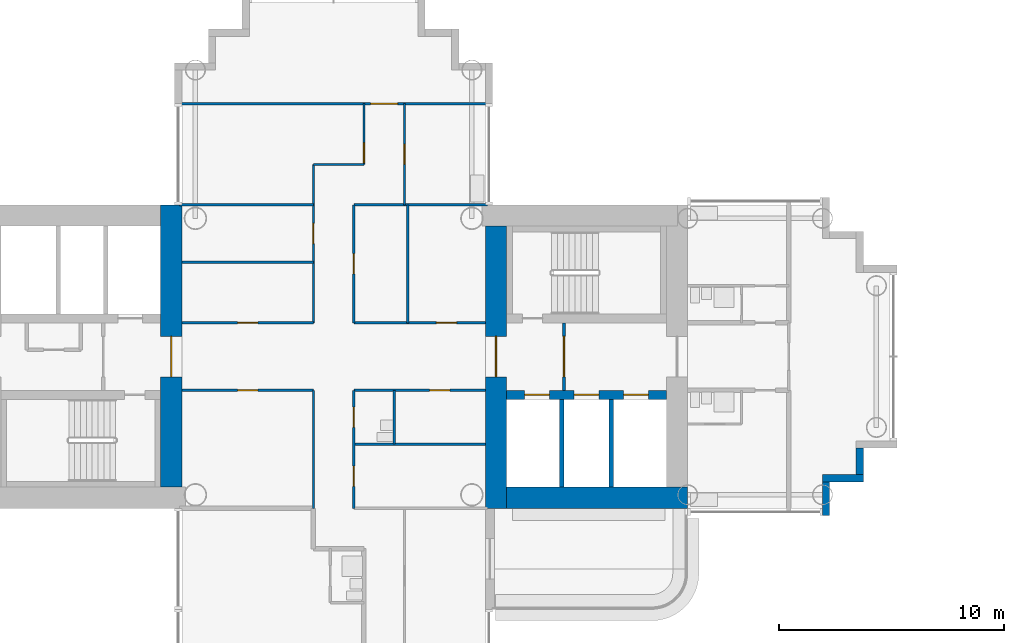
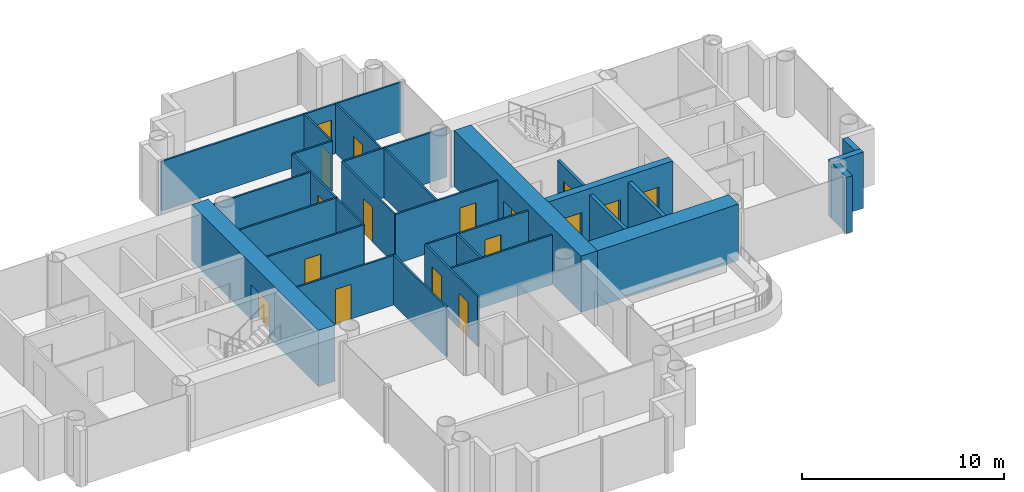
# One storey, part 10 of 21: 28 walls, 17 doors, 17 openings.
"""IFC4 building model written with IfcOpenShell, lengths in metres."""

import ifcopenshell
import ifcopenshell.guid

model = None  # the IFC model being written
_history = None  # IfcOwnerHistory: only IFC2X3 demands one
_inside = {}  # id of a spatial element -> (the spatial element, [elements in it])
_under = {}  # id of a project, library or spatial element -> (it, [spatial elements below it])
_declared = {}  # id of a project -> (the project, [libraries it declares])
_typed = {}  # id of a type object -> (the type object, [elements of that type])
_made_of = {}  # id of a material, layer set ... -> (it, [elements and type objects made of it])


def new_model(schema):
    """Start an empty IFC model of exactly this schema.

    Asked for "IFC4X3", IfcOpenShell would pick the latest addendum, in which some entities
    have other attributes; the version numbers below select the first issue.
    IFC2X3 requires an IfcOwnerHistory on every rooted entity: one is made here for all.
    """
    global model, _history
    if schema == "IFC4X3":
        model = ifcopenshell.file(schema_version=(4, 3, 0, 0))
    else:
        model = ifcopenshell.file(schema=schema)
    _inside.clear()
    _under.clear()
    _declared.clear()
    _typed.clear()
    _made_of.clear()
    _history = None
    if model.schema == "IFC2X3":
        org = make("IfcOrganization", Name="unknown")
        user = make(
            "IfcPersonAndOrganization",
            ThePerson=make("IfcPerson", FamilyName="unknown"),
            TheOrganization=org,
        )
        app = make(
            "IfcApplication",
            ApplicationDeveloper=org,
            Version="unknown",
            ApplicationFullName="unknown",
            ApplicationIdentifier="unknown",
        )
        _history = make(
            "IfcOwnerHistory",
            OwningUser=user,
            OwningApplication=app,
            ChangeAction="ADDED",
            CreationDate=0,
        )
    return model


def make(cls, **values):
    """One entity of the class cls with the attributes given. An attribute that is None is left unset."""
    return model.create_entity(
        cls, **{name: value for name, value in values.items() if value is not None}
    )


def rooted(cls, **values):
    """An entity with a GlobalId (a new one), such as an element, a storey or a relation."""
    return make(cls, GlobalId=ifcopenshell.guid.new(), OwnerHistory=_history, **values)


def si_unit(unit_type, name, prefix=None):
    """IfcSIUnit, for example si_unit("LENGTHUNIT", "METRE", prefix="MILLI")."""
    return make("IfcSIUnit", UnitType=unit_type, Prefix=prefix, Name=name)


def assignment(units):
    """IfcUnitAssignment: the units of a project."""
    return None if units is None else make("IfcUnitAssignment", Units=units)


def point(xyz):
    """IfcCartesianPoint."""
    return None if xyz is None else make("IfcCartesianPoint", Coordinates=xyz)


def direction(xyz):
    """IfcDirection."""
    return None if xyz is None else make("IfcDirection", DirectionRatios=xyz)


def frame(location, z_axis=None, x_axis=None):
    """IfcAxis2Placement3D, a coordinate frame: its origin and axes. An axis left out is left unset."""
    return make(
        "IfcAxis2Placement3D",
        Location=point(location),
        Axis=direction(z_axis),
        RefDirection=direction(x_axis),
    )


def frame_2d(location, x_axis=None):
    """IfcAxis2Placement2D, a coordinate frame in the plane: its origin and x axis."""
    return make(
        "IfcAxis2Placement2D", Location=point(location), RefDirection=direction(x_axis)
    )


def origin():
    """The frame at (0, 0, 0) with its axes left unset."""
    return frame((0.0, 0.0, 0.0))


def place(relative_to, where):
    """IfcLocalPlacement: puts the frame where relative to a parent placement (None: the world)."""
    return make(
        "IfcLocalPlacement", PlacementRelTo=relative_to, RelativePlacement=where
    )


def context(
    kind, dimensions, precision=None, world=None, true_north=None, identifier=None
):
    """IfcGeometricRepresentationContext, for example the 3D "Model" context."""
    return make(
        "IfcGeometricRepresentationContext",
        ContextIdentifier=identifier,
        ContextType=kind,
        CoordinateSpaceDimension=dimensions,
        Precision=precision,
        WorldCoordinateSystem=world,
        TrueNorth=true_north,
    )


def subcontext(parent, identifier, kind, view, scale=None):
    """IfcGeometricRepresentationSubContext, for example "Body" below "Model"."""
    return make(
        "IfcGeometricRepresentationSubContext",
        ContextIdentifier=identifier,
        ContextType=kind,
        ParentContext=parent,
        TargetScale=scale,
        TargetView=view,
    )


def project(units=None, contexts=None):
    """IfcProject with its units and contexts."""
    return rooted(
        "IfcProject",
        Name="project",
        RepresentationContexts=contexts,
        UnitsInContext=assignment(units),
    )


def spatial(cls, under=None, at=None, **own):
    """A site, building, storey or space (cls), placed at a placement, below another one or the project."""
    s = rooted(cls, ObjectPlacement=at, **own)
    if under is not None:
        _under.setdefault(under.id(), (under, []))[1].append(s)
    return s


def profile(cls, at=None, kind="AREA", **sizes):
    """A parametric profile (cls). Its sizes go by their IFC names, for example OverallWidth=200.0."""
    return make(cls, ProfileType=kind, Position=at, **sizes)


def rectangle(**sizes):
    """IfcRectangleProfileDef."""
    return profile("IfcRectangleProfileDef", **sizes)


def extrude(swept, where, along, depth):
    """IfcExtrudedAreaSolid: the profile swept, set in the frame where, extruded along a direction by depth."""
    return make(
        "IfcExtrudedAreaSolid",
        SweptArea=swept,
        Position=where,
        ExtrudedDirection=direction(along),
        Depth=depth,
    )


def shape(context_of_items, identifier, shape_type, items):
    """IfcShapeRepresentation: the items that make up one representation, for example the "Body"."""
    return make(
        "IfcShapeRepresentation",
        ContextOfItems=context_of_items,
        RepresentationIdentifier=identifier,
        RepresentationType=shape_type,
        Items=items,
    )


def material(Name=None, Category=None):
    """IfcMaterial."""
    return make("IfcMaterial", Name=Name, Category=Category)


def layer(
    of_material, thickness, ventilated=None, Name=None, Category=None, Priority=None
):
    """IfcMaterialLayer: one layer of a wall or slab, of a material (None: an air gap)."""
    return make(
        "IfcMaterialLayer",
        Material=of_material,
        LayerThickness=thickness,
        IsVentilated=ventilated,
        Name=Name,
        Category=Category,
        Priority=Priority,
    )


def layer_set(layers, Name=None):
    """IfcMaterialLayerSet."""
    return make("IfcMaterialLayerSet", MaterialLayers=layers, LayerSetName=Name)


def made_of(thing, what):
    """Note that an element or type object is made of a material, layer set ...; save() writes the relation."""
    if what is not None:
        _made_of.setdefault(what.id(), (what, []))[1].append(thing)
    return thing


def type_object(cls, material=None, **own):
    """A type object (cls), such as IfcWallType, which elements share."""
    return made_of(rooted(cls, **own), material)


def element(
    cls,
    number,
    at=None,
    inside=None,
    cuts=None,
    type_object=None,
    material=None,
    context=None,
    identifier="Body",
    shape_type=None,
    held_by="IfcProductDefinitionShape",
    body=None,
    shapes=None,
    **own,
):
    """One element of the class cls, such as IfcWall. Its Tag is "e" and its number.

    at: its placement. inside: the storey or other place that contains it. cuts: it is an
    opening in that element (IfcRelVoidsElement). A single representation is given by context,
    identifier, shape_type and body (its items); several are given by shapes. held_by: the class
    of the entity that holds the representations. save() writes the other relations.
    """
    e = rooted(cls, Tag="e%d" % number, ObjectPlacement=at, **own)
    if body is not None:
        shapes = [shape(context, identifier, shape_type, body)]
    if shapes is not None:
        e.Representation = make(held_by, Representations=shapes)
    if inside is not None:
        _inside.setdefault(inside.id(), (inside, []))[1].append(e)
    if cuts is not None:
        rooted(
            "IfcRelVoidsElement", RelatingBuildingElement=cuts, RelatedOpeningElement=e
        )
    if type_object is not None:
        _typed.setdefault(type_object.id(), (type_object, []))[1].append(e)
    return made_of(e, material)


def fill(opening, filler):
    """IfcRelFillsElement: the door or window that sits in an opening."""
    return rooted(
        "IfcRelFillsElement",
        RelatingOpeningElement=opening,
        RelatedBuildingElement=filler,
    )


def aggregate(whole, parts):
    """IfcRelAggregates: a whole, such as a stair, and the parts it consists of."""
    return rooted("IfcRelAggregates", RelatingObject=whole, RelatedObjects=parts)


def save(model, path):
    """Write the relations noted so far, then the file.

    IfcRelAggregates (storeys below a building ...), IfcRelContainedInSpatialStructure (elements
    in a storey), IfcRelDefinesByType, IfcRelAssociatesMaterial and IfcRelDeclares: one each for
    every whole, place, type object, material and project.
    """
    for whole, parts in _under.values():
        aggregate(whole, parts)
    for where, things in _inside.values():
        rooted(
            "IfcRelContainedInSpatialStructure",
            RelatedElements=things,
            RelatingStructure=where,
        )
    for kind, things in _typed.values():
        rooted("IfcRelDefinesByType", RelatedObjects=things, RelatingType=kind)
    for what, things in _made_of.values():
        rooted("IfcRelAssociatesMaterial", RelatedObjects=things, RelatingMaterial=what)
    for by, libraries in _declared.values():
        rooted("IfcRelDeclares", RelatingContext=by, RelatedDefinitions=libraries)
    model.write(path)


model = new_model("IFC4")

# Units and contexts
model_context = context("Model", 3, precision=1e-05, world=origin(), true_north=direction((0.0, 1.0)))
body_context = subcontext(model_context, "Body", "Model", "MODEL_VIEW")
ifc_project = project(units=[si_unit("LENGTHUNIT", "METRE"), si_unit("AREAUNIT", "SQUARE_METRE"), si_unit("VOLUMEUNIT", "CUBIC_METRE"), si_unit("PLANEANGLEUNIT", "RADIAN"), si_unit("MASSUNIT", "GRAM", prefix="KILO")], contexts=[model_context])

# Site, building, storey
site_placement = place(None, origin())
site = spatial("IfcSite", under=ifc_project, at=site_placement, CompositionType="ELEMENT")
building_placement = place(site_placement, origin())
building = spatial("IfcBuilding", under=site, at=building_placement, Name="Ipe Terrace Towers", CompositionType="ELEMENT")
storey_placement = place(building_placement, frame((0.0, 0.0, 103.800048828125)))
storey = spatial("IfcBuildingStorey", under=building, at=storey_placement, Name="L28", CompositionType="ELEMENT", Elevation=103.800048828125)

# Walls
ifc_material_1 = material(Name="Concrete C40/50 with buff precast cladding", Category="concrete")
ifc_layer_1 = layer(ifc_material_1, 0.320068359375)
ifc_layer_set_1 = layer_set([ifc_layer_1], Name="BUFF CLADDING WALL 320")
wall_type_1 = type_object("IfcWallType", Name="BUFF CLADDING WALL 320", PredefinedType="STANDARD", material=ifc_layer_set_1)
wall_1_placement = place(storey_placement, frame((-14.090087890625, -7.070068359375, -0.300048828125), z_axis=(0.0, 0.0, 1.0), x_axis=(0.0, 1.0, 0.0)))
element("IfcWall", 1, at=wall_1_placement, inside=storey, type_object=wall_type_1, Name="T1-W-L28-21a wall", PredefinedType="STANDARD", context=body_context, shape_type="SweptSolid", body=[
    extrude(rectangle(XDim=1.5, YDim=0.320068359375, at=frame_2d((0.75, 0.0))), origin(), (0.0, 0.0, 1.0), 3.39990234375),
])
wall_2_placement = place(storey_placement, frame((-14.25, -5.409912109375, -0.300048828125), z_axis=(0.0, 0.0, 1.0), x_axis=(1.0, 0.0, 0.0)))
element("IfcWall", 2, at=wall_2_placement, inside=storey, type_object=wall_type_1, Name="T1-W-L28-22a wall", PredefinedType="STANDARD", context=body_context, shape_type="SweptSolid", body=[
    extrude(rectangle(XDim=1.820068359375, YDim=0.320068359375, at=frame_2d((0.91015625, 0.0))), origin(), (0.0, 0.0, 1.0), 3.39990234375),
])
wall_3_placement = place(storey_placement, frame((-12.590087890625, -5.25, -0.300048828125), z_axis=(0.0, 0.0, 1.0), x_axis=(0.0, 1.0, 0.0)))
element("IfcWall", 3, at=wall_3_placement, inside=storey, type_object=wall_type_1, Name="T1-W-L28-23a wall", PredefinedType="STANDARD", context=body_context, shape_type="SweptSolid", body=[
    extrude(rectangle(XDim=1.179931640625, YDim=0.320068359375, at=frame_2d((0.58984375, 0.0))), origin(), (0.0, 0.0, 1.0), 3.39990234375),
])
ifc_material_2 = material(Name="Gypsum board partition", Category="plasterboard")
ifc_layer_2 = layer(ifc_material_2, 0.10009765625)
ifc_layer_set_2 = layer_set([ifc_layer_2], Name="Gypsum board partition 100 mm")
wall_type_2 = type_object("IfcWallType", Name="Gypsum board partition 100 mm", PredefinedType="PARTITIONING", material=ifc_layer_set_2)
wall_4_placement = place(storey_placement, frame((-36.89990234375, -6.75, 0.0), z_axis=(0.0, 0.0, 1.0), x_axis=(0.0, 1.0, 0.0)))
element("IfcWall", 4, at=wall_4_placement, inside=storey, type_object=wall_type_2, Name="Gypsum board partition T1 L28 W04", PredefinedType="PARTITIONING", context=body_context, shape_type="SweptSolid", body=[
    extrude(rectangle(XDim=5.25, YDim=0.10009765625, at=frame_2d((2.625, 0.0))), origin(), (0.0, 0.0, 1.0), 3.0),
])

# Wall, opening, door
wall_5_placement = place(storey_placement, frame((-36.89990234375, 1.5, 0.0), z_axis=(0.0, 0.0, 1.0), x_axis=(0.0, 1.0, 0.0)))
wall_5 = element("IfcWall", 5, at=wall_5_placement, inside=storey, type_object=wall_type_2, Name="Gypsum board partition T1 L28 W05", PredefinedType="PARTITIONING", context=body_context, shape_type="SweptSolid", body=[
    extrude(rectangle(XDim=7.050048828125, YDim=0.10009765625, at=frame_2d((3.52490234375, 0.0))), origin(), (0.0, 0.0, 1.0), 3.0),
])
opening_1_placement = place(wall_5_placement, frame((3.52490234375, 0.0, 0.0)))
opening_1 = element("IfcOpeningElement", 6, at=opening_1_placement, cuts=wall_5, Name="Opening T1-Z2E-05", PredefinedType="OPENING", context=body_context, shape_type="SweptSolid", body=[
    extrude(rectangle(XDim=0.89990234375, YDim=2.10009765625, at=frame_2d((0.449951171875, 1.050048828125))), frame((0.0, 0.06005859375, 0.0), z_axis=(0.0, -1.0, 0.0), x_axis=(1.0, 0.0, 0.0)), (0.0, 0.0, 1.0), 0.1201171875),
])
ifc_material_3 = material(Name="Timber door leaf", Category="wood")
door_type_1 = type_object("IfcDoorType", Name="Lounge door 900 x 2100", OperationType="NOTDEFINED", PredefinedType="DOOR", material=ifc_material_3)
door_1_placement = place(opening_1_placement, origin())
door_1 = element("IfcDoor", 7, at=door_1_placement, inside=storey, type_object=door_type_1, Name="Lounge door T1-Z2E-05", OperationType="SINGLE_SWING_LEFT", OverallHeight=2.10009765625, OverallWidth=0.89990234375, PredefinedType="DOOR", context=body_context, shape_type="SweptSolid", body=[
    extrude(rectangle(XDim=0.89990234375, YDim=2.10009765625, at=frame_2d((0.449951171875, 1.050048828125))), frame((0.0, 0.02490234375, 0.0), z_axis=(0.0, -1.0, 0.0), x_axis=(1.0, 0.0, 0.0)), (0.0, 0.0, 1.0), 0.050048828125),
])
fill(opening_1, door_1)

# Wall, openings, doors
wall_6_placement = place(storey_placement, frame((-35.10009765625, -6.75, 0.0), z_axis=(0.0, 0.0, 1.0), x_axis=(0.0, 1.0, 0.0)))
wall_6 = element("IfcWall", 8, at=wall_6_placement, inside=storey, type_object=wall_type_2, Name="Gypsum board partition T1 L28 W08", PredefinedType="PARTITIONING", context=body_context, shape_type="SweptSolid", body=[
    extrude(rectangle(XDim=5.25, YDim=0.10009765625, at=frame_2d((2.625, 0.0))), origin(), (0.0, 0.0, 1.0), 3.0),
])
opening_2_placement = place(wall_6_placement, frame((3.60009765625, 0.0, 0.0)))
opening_2 = element("IfcOpeningElement", 9, at=opening_2_placement, cuts=wall_6, Name="Opening T1-Z2E-01", PredefinedType="OPENING", context=body_context, shape_type="SweptSolid", body=[
    extrude(rectangle(XDim=0.89990234375, YDim=2.10009765625, at=frame_2d((0.449951171875, 1.050048828125))), frame((0.0, 0.06005859375, 0.0), z_axis=(0.0, -1.0, 0.0), x_axis=(1.0, 0.0, 0.0)), (0.0, 0.0, 1.0), 0.1201171875),
])
opening_3_placement = place(wall_6_placement, frame((0.97509765625, 0.0, 0.0)))
opening_3 = element("IfcOpeningElement", 10, at=opening_3_placement, cuts=wall_6, Name="Opening T1-Z2E-08", PredefinedType="OPENING", context=body_context, shape_type="SweptSolid", body=[
    extrude(rectangle(XDim=0.89990234375, YDim=2.10009765625, at=frame_2d((0.449951171875, 1.050048828125))), frame((0.0, 0.06005859375, 0.0), z_axis=(0.0, -1.0, 0.0), x_axis=(1.0, 0.0, 0.0)), (0.0, 0.0, 1.0), 0.1201171875),
])
ifc_material_4 = material(Name="Timber door leaf", Category="wood")
door_type_2 = type_object("IfcDoorType", Name="Bathroom door 900 x 2100", OperationType="NOTDEFINED", PredefinedType="DOOR", material=ifc_material_4)
door_2_placement = place(opening_2_placement, origin())
door_2 = element("IfcDoor", 11, at=door_2_placement, inside=storey, type_object=door_type_2, Name="Bathroom door T1-Z2E-01", OperationType="SINGLE_SWING_RIGHT", OverallHeight=2.10009765625, OverallWidth=0.89990234375, PredefinedType="DOOR", context=body_context, shape_type="SweptSolid", body=[
    extrude(rectangle(XDim=0.89990234375, YDim=2.10009765625, at=frame_2d((0.449951171875, 1.050048828125))), frame((0.0, 0.02490234375, 0.0), z_axis=(0.0, -1.0, 0.0), x_axis=(1.0, 0.0, 0.0)), (0.0, 0.0, 1.0), 0.050048828125),
])
fill(opening_2, door_2)
door_3_placement = place(opening_3_placement, origin())
door_3 = element("IfcDoor", 12, at=door_3_placement, inside=storey, type_object=door_type_1, Name="Lounge door T1-Z2E-08", OperationType="SINGLE_SWING_LEFT", OverallHeight=2.10009765625, OverallWidth=0.89990234375, PredefinedType="DOOR", context=body_context, shape_type="SweptSolid", body=[
    extrude(rectangle(XDim=0.89990234375, YDim=2.10009765625, at=frame_2d((0.449951171875, 1.050048828125))), frame((0.0, 0.02490234375, 0.0), z_axis=(0.0, -1.0, 0.0), x_axis=(1.0, 0.0, 0.0)), (0.0, 0.0, 1.0), 0.050048828125),
])
fill(opening_3, door_3)

# Wall, opening, door
wall_7_placement = place(storey_placement, frame((-35.10009765625, 1.5, 0.0), z_axis=(0.0, 0.0, 1.0), x_axis=(0.0, 1.0, 0.0)))
wall_7 = element("IfcWall", 13, at=wall_7_placement, inside=storey, type_object=wall_type_2, Name="Gypsum board partition T1 L28 W09", PredefinedType="PARTITIONING", context=body_context, shape_type="SweptSolid", body=[
    extrude(rectangle(XDim=5.25, YDim=0.10009765625, at=frame_2d((2.625, 0.0))), origin(), (0.0, 0.0, 1.0), 3.0),
])
opening_4_placement = place(wall_7_placement, frame((2.175048828125, 0.0, 0.0)))
opening_4 = element("IfcOpeningElement", 14, at=opening_4_placement, cuts=wall_7, Name="Opening T1-Z2E-02", PredefinedType="OPENING", context=body_context, shape_type="SweptSolid", body=[
    extrude(rectangle(XDim=0.89990234375, YDim=2.10009765625, at=frame_2d((0.449951171875, 1.050048828125))), frame((0.0, 0.06005859375, 0.0), z_axis=(0.0, -1.0, 0.0), x_axis=(1.0, 0.0, 0.0)), (0.0, 0.0, 1.0), 0.1201171875),
])
door_4_placement = place(opening_4_placement, origin())
door_4 = element("IfcDoor", 15, at=door_4_placement, inside=storey, type_object=door_type_1, Name="Lounge door T1-Z2E-02", OperationType="SINGLE_SWING_RIGHT", OverallHeight=2.10009765625, OverallWidth=0.89990234375, PredefinedType="DOOR", context=body_context, shape_type="SweptSolid", body=[
    extrude(rectangle(XDim=0.89990234375, YDim=2.10009765625, at=frame_2d((0.449951171875, 1.050048828125))), frame((0.0, 0.02490234375, 0.0), z_axis=(0.0, -1.0, 0.0), x_axis=(1.0, 0.0, 0.0)), (0.0, 0.0, 1.0), 0.050048828125),
])
fill(opening_4, door_4)

wall_8_placement = place(storey_placement, frame((-34.64990234375, 8.550048828125, 0.0), z_axis=(0.0, 0.0, 1.0), x_axis=(0.0, 1.0, 0.0)))
wall_8 = element("IfcWall", 16, at=wall_8_placement, inside=storey, type_object=wall_type_2, Name="Gypsum board partition T1 L28 W10", PredefinedType="PARTITIONING", context=body_context, shape_type="SweptSolid", body=[
    extrude(rectangle(XDim=2.699951171875, YDim=0.10009765625, at=frame_2d((1.35009765625, 0.0))), origin(), (0.0, 0.0, 1.0), 3.0),
])
opening_5_placement = place(wall_8_placement, frame((0.070068359375, 0.0, 0.0)))
opening_5 = element("IfcOpeningElement", 17, at=opening_5_placement, cuts=wall_8, Name="Opening T1-Z2E-09", PredefinedType="OPENING", context=body_context, shape_type="SweptSolid", body=[
    extrude(rectangle(XDim=0.89990234375, YDim=2.10009765625, at=frame_2d((0.449951171875, 1.050048828125))), frame((0.0, 0.06005859375, 0.0), z_axis=(0.0, -1.0, 0.0), x_axis=(1.0, 0.0, 0.0)), (0.0, 0.0, 1.0), 0.1201171875),
])
door_5_placement = place(opening_5_placement, origin())
door_5 = element("IfcDoor", 18, at=door_5_placement, inside=storey, type_object=door_type_1, Name="Lounge door T1-Z2E-09", OperationType="SINGLE_SWING_RIGHT", OverallHeight=2.10009765625, OverallWidth=0.89990234375, PredefinedType="DOOR", context=body_context, shape_type="SweptSolid", body=[
    extrude(rectangle(XDim=0.89990234375, YDim=2.10009765625, at=frame_2d((0.449951171875, 1.050048828125))), frame((0.0, 0.02490234375, 0.0), z_axis=(0.0, -1.0, 0.0), x_axis=(1.0, 0.0, 0.0)), (0.0, 0.0, 1.0), 0.050048828125),
])
fill(opening_5, door_5)

# Wall
wall_9_placement = place(storey_placement, frame((-33.300048828125, -3.89990234375, 0.0), z_axis=(0.0, 0.0, 1.0), x_axis=(0.0, 1.0, 0.0)))
element("IfcWall", 19, at=wall_9_placement, inside=storey, type_object=wall_type_2, Name="Gypsum board partition T1 L28 W12", PredefinedType="PARTITIONING", context=body_context, shape_type="SweptSolid", body=[
    extrude(rectangle(XDim=2.39990234375, YDim=0.10009765625, at=frame_2d((1.199951171875, 0.0))), origin(), (0.0, 0.0, 1.0), 3.0),
])

# Wall, opening, door
wall_10_placement = place(storey_placement, frame((-32.85009765625, 6.75, 0.0), z_axis=(0.0, 0.0, 1.0), x_axis=(0.0, 1.0, 0.0)))
wall_10 = element("IfcWall", 20, at=wall_10_placement, inside=storey, type_object=wall_type_2, Name="Gypsum board partition T1 L28 W14", PredefinedType="PARTITIONING", context=body_context, shape_type="SweptSolid", body=[
    extrude(rectangle(XDim=4.5, YDim=0.10009765625, at=frame_2d((2.25, 0.0))), origin(), (0.0, 0.0, 1.0), 3.0),
])
opening_6_placement = place(wall_10_placement, frame((1.800048828125, 0.0, 0.0)))
opening_6 = element("IfcOpeningElement", 21, at=opening_6_placement, cuts=wall_10, Name="Opening T1-Z2E-10", PredefinedType="OPENING", context=body_context, shape_type="SweptSolid", body=[
    extrude(rectangle(XDim=0.89990234375, YDim=2.10009765625, at=frame_2d((0.449951171875, 1.050048828125))), frame((0.0, 0.06005859375, 0.0), z_axis=(0.0, -1.0, 0.0), x_axis=(1.0, 0.0, 0.0)), (0.0, 0.0, 1.0), 0.1201171875),
])
door_6_placement = place(opening_6_placement, origin())
door_6 = element("IfcDoor", 22, at=door_6_placement, inside=storey, type_object=door_type_1, Name="Lounge door T1-Z2E-10", OperationType="SINGLE_SWING_RIGHT", OverallHeight=2.10009765625, OverallWidth=0.89990234375, PredefinedType="DOOR", context=body_context, shape_type="SweptSolid", body=[
    extrude(rectangle(XDim=0.89990234375, YDim=2.10009765625, at=frame_2d((0.449951171875, 1.050048828125))), frame((0.0, 0.02490234375, 0.0), z_axis=(0.0, -1.0, 0.0), x_axis=(1.0, 0.0, 0.0)), (0.0, 0.0, 1.0), 0.050048828125),
])
fill(opening_6, door_6)

# Walls
wall_11_placement = place(storey_placement, frame((-32.699951171875, 1.5, 0.0), z_axis=(0.0, 0.0, 1.0), x_axis=(0.0, 1.0, 0.0)))
element("IfcWall", 23, at=wall_11_placement, inside=storey, type_object=wall_type_2, Name="Gypsum board partition T1 L28 W15", PredefinedType="PARTITIONING", context=body_context, shape_type="SweptSolid", body=[
    extrude(rectangle(XDim=5.25, YDim=0.10009765625, at=frame_2d((2.625, 0.0))), origin(), (0.0, 0.0, 1.0), 3.0),
])
wall_12_placement = place(storey_placement, frame((-35.10009765625, -3.89990234375, 0.0), z_axis=(0.0, 0.0, 1.0), x_axis=(1.0, 0.0, 0.0)))
element("IfcWall", 24, at=wall_12_placement, inside=storey, type_object=wall_type_2, Name="Gypsum board partition T1 L28 W27", PredefinedType="PARTITIONING", context=body_context, shape_type="SweptSolid", body=[
    extrude(rectangle(XDim=5.85009765625, YDim=0.10009765625, at=frame_2d((2.925048828125, 0.0))), origin(), (0.0, 0.0, 1.0), 3.0),
])

# Wall, opening, door
wall_13_placement = place(storey_placement, frame((-42.75, -1.5, 0.0), z_axis=(0.0, 0.0, 1.0), x_axis=(1.0, 0.0, 0.0)))
wall_13 = element("IfcWall", 25, at=wall_13_placement, inside=storey, type_object=wall_type_2, Name="Gypsum board partition T1 L28 W30", PredefinedType="PARTITIONING", context=body_context, shape_type="SweptSolid", body=[
    extrude(rectangle(XDim=5.85009765625, YDim=0.10009765625, at=frame_2d((2.925048828125, 0.0))), origin(), (0.0, 0.0, 1.0), 3.0),
])
opening_7_placement = place(wall_13_placement, frame((2.47509765625, 0.0, 0.0)))
opening_7 = element("IfcOpeningElement", 26, at=opening_7_placement, cuts=wall_13, Name="Opening T1-Z2E-06", PredefinedType="OPENING", context=body_context, shape_type="SweptSolid", body=[
    extrude(rectangle(XDim=0.89990234375, YDim=2.10009765625, at=frame_2d((0.449951171875, 1.050048828125))), frame((0.0, 0.06005859375, 0.0), z_axis=(0.0, -1.0, 0.0), x_axis=(1.0, 0.0, 0.0)), (0.0, 0.0, 1.0), 0.1201171875),
])
door_7_placement = place(opening_7_placement, origin())
door_7 = element("IfcDoor", 27, at=door_7_placement, inside=storey, type_object=door_type_1, Name="Lounge door T1-Z2E-06", OperationType="SINGLE_SWING_LEFT", OverallHeight=2.10009765625, OverallWidth=0.89990234375, PredefinedType="DOOR", context=body_context, shape_type="SweptSolid", body=[
    extrude(rectangle(XDim=0.89990234375, YDim=2.10009765625, at=frame_2d((0.449951171875, 1.050048828125))), frame((0.0, 0.02490234375, 0.0), z_axis=(0.0, -1.0, 0.0), x_axis=(1.0, 0.0, 0.0)), (0.0, 0.0, 1.0), 0.050048828125),
])
fill(opening_7, door_7)

wall_14_placement = place(storey_placement, frame((-35.10009765625, -1.5, 0.0), z_axis=(0.0, 0.0, 1.0), x_axis=(1.0, 0.0, 0.0)))
wall_14 = element("IfcWall", 28, at=wall_14_placement, inside=storey, type_object=wall_type_2, Name="Gypsum board partition T1 L28 W31", PredefinedType="PARTITIONING", context=body_context, shape_type="SweptSolid", body=[
    extrude(rectangle(XDim=5.85009765625, YDim=0.10009765625, at=frame_2d((2.925048828125, 0.0))), origin(), (0.0, 0.0, 1.0), 3.0),
])
opening_8_placement = place(wall_14_placement, frame((3.375, 0.0, 0.0)))
opening_8 = element("IfcOpeningElement", 29, at=opening_8_placement, cuts=wall_14, Name="Opening T1-Z2E-07", PredefinedType="OPENING", context=body_context, shape_type="SweptSolid", body=[
    extrude(rectangle(XDim=0.89990234375, YDim=2.10009765625, at=frame_2d((0.449951171875, 1.050048828125))), frame((0.0, 0.06005859375, 0.0), z_axis=(0.0, -1.0, 0.0), x_axis=(1.0, 0.0, 0.0)), (0.0, 0.0, 1.0), 0.1201171875),
])
door_8_placement = place(opening_8_placement, origin())
door_8 = element("IfcDoor", 30, at=door_8_placement, inside=storey, type_object=door_type_1, Name="Lounge door T1-Z2E-07", OperationType="SINGLE_SWING_RIGHT", OverallHeight=2.10009765625, OverallWidth=0.89990234375, PredefinedType="DOOR", context=body_context, shape_type="SweptSolid", body=[
    extrude(rectangle(XDim=0.89990234375, YDim=2.10009765625, at=frame_2d((0.449951171875, 1.050048828125))), frame((0.0, 0.02490234375, 0.0), z_axis=(0.0, -1.0, 0.0), x_axis=(1.0, 0.0, 0.0)), (0.0, 0.0, 1.0), 0.050048828125),
])
fill(opening_8, door_8)

wall_15_placement = place(storey_placement, frame((-42.75, 1.5, 0.0), z_axis=(0.0, 0.0, 1.0), x_axis=(1.0, 0.0, 0.0)))
wall_15 = element("IfcWall", 31, at=wall_15_placement, inside=storey, type_object=wall_type_2, Name="Gypsum board partition T1 L28 W33", PredefinedType="PARTITIONING", context=body_context, shape_type="SweptSolid", body=[
    extrude(rectangle(XDim=5.85009765625, YDim=0.10009765625, at=frame_2d((2.925048828125, 0.0))), origin(), (0.0, 0.0, 1.0), 3.0),
])
opening_9_placement = place(wall_15_placement, frame((2.47509765625, 0.0, 0.0)))
opening_9 = element("IfcOpeningElement", 32, at=opening_9_placement, cuts=wall_15, Name="Opening T1-Z2E-04", PredefinedType="OPENING", context=body_context, shape_type="SweptSolid", body=[
    extrude(rectangle(XDim=0.89990234375, YDim=2.10009765625, at=frame_2d((0.449951171875, 1.050048828125))), frame((0.0, 0.06005859375, 0.0), z_axis=(0.0, -1.0, 0.0), x_axis=(1.0, 0.0, 0.0)), (0.0, 0.0, 1.0), 0.1201171875),
])
door_9_placement = place(opening_9_placement, origin())
door_9 = element("IfcDoor", 33, at=door_9_placement, inside=storey, type_object=door_type_1, Name="Lounge door T1-Z2E-04", OperationType="SINGLE_SWING_RIGHT", OverallHeight=2.10009765625, OverallWidth=0.89990234375, PredefinedType="DOOR", context=body_context, shape_type="SweptSolid", body=[
    extrude(rectangle(XDim=0.89990234375, YDim=2.10009765625, at=frame_2d((0.449951171875, 1.050048828125))), frame((0.0, 0.02490234375, 0.0), z_axis=(0.0, -1.0, 0.0), x_axis=(1.0, 0.0, 0.0)), (0.0, 0.0, 1.0), 0.050048828125),
])
fill(opening_9, door_9)

wall_16_placement = place(storey_placement, frame((-35.10009765625, 1.5, 0.0), z_axis=(0.0, 0.0, 1.0), x_axis=(1.0, 0.0, 0.0)))
wall_16 = element("IfcWall", 34, at=wall_16_placement, inside=storey, type_object=wall_type_2, Name="Gypsum board partition T1 L28 W34", PredefinedType="PARTITIONING", context=body_context, shape_type="SweptSolid", body=[
    extrude(rectangle(XDim=5.85009765625, YDim=0.10009765625, at=frame_2d((2.925048828125, 0.0))), origin(), (0.0, 0.0, 1.0), 3.0),
])
opening_10_placement = place(wall_16_placement, frame((3.675048828125, 0.0, 0.0)))
opening_10 = element("IfcOpeningElement", 35, at=opening_10_placement, cuts=wall_16, Name="Opening T1-Z2E-03", PredefinedType="OPENING", context=body_context, shape_type="SweptSolid", body=[
    extrude(rectangle(XDim=0.89990234375, YDim=2.10009765625, at=frame_2d((0.449951171875, 1.050048828125))), frame((0.0, 0.06005859375, 0.0), z_axis=(0.0, -1.0, 0.0), x_axis=(1.0, 0.0, 0.0)), (0.0, 0.0, 1.0), 0.1201171875),
])
door_10_placement = place(opening_10_placement, origin())
door_10 = element("IfcDoor", 36, at=door_10_placement, inside=storey, type_object=door_type_1, Name="Lounge door T1-Z2E-03", OperationType="SINGLE_SWING_LEFT", OverallHeight=2.10009765625, OverallWidth=0.89990234375, PredefinedType="DOOR", context=body_context, shape_type="SweptSolid", body=[
    extrude(rectangle(XDim=0.89990234375, YDim=2.10009765625, at=frame_2d((0.449951171875, 1.050048828125))), frame((0.0, 0.02490234375, 0.0), z_axis=(0.0, -1.0, 0.0), x_axis=(1.0, 0.0, 0.0)), (0.0, 0.0, 1.0), 0.050048828125),
])
fill(opening_10, door_10)

# Walls
wall_17_placement = place(storey_placement, frame((-42.75, 4.199951171875, 0.0), z_axis=(0.0, 0.0, 1.0), x_axis=(1.0, 0.0, 0.0)))
element("IfcWall", 37, at=wall_17_placement, inside=storey, type_object=wall_type_2, Name="Gypsum board partition T1 L28 W39", PredefinedType="PARTITIONING", context=body_context, shape_type="SweptSolid", body=[
    extrude(rectangle(XDim=5.85009765625, YDim=0.10009765625, at=frame_2d((2.925048828125, 0.0))), origin(), (0.0, 0.0, 1.0), 3.0),
])
for number, where, z_axis, x_axis, name in (
    (38, (-42.85009765625, 6.75, 0.0), (0.0, 0.0, 1.0), (1.0, 0.0, 0.0), "Gypsum board partition T1 L28 W40"),
    (39, (-35.10009765625, 6.75, 0.0), (0.0, 0.0, 1.0), (1.0, 0.0, 0.0), "Gypsum board partition T1 L28 W41"),
):
    element("IfcWall", number, at=place(storey_placement, frame(where, z_axis=z_axis, x_axis=x_axis)), inside=storey, type_object=wall_type_2, Name=name, PredefinedType="PARTITIONING", context=body_context, shape_type="SweptSolid", body=[
        extrude(rectangle(XDim=5.9501953125, YDim=0.10009765625, at=frame_2d((2.97509765625, 0.0))), origin(), (0.0, 0.0, 1.0), 3.0),
    ])
wall_18_placement = place(storey_placement, frame((-36.89990234375, 8.550048828125, 0.0), z_axis=(0.0, 0.0, 1.0), x_axis=(1.0, 0.0, 0.0)))
element("IfcWall", 40, at=wall_18_placement, inside=storey, type_object=wall_type_2, Name="Gypsum board partition T1 L28 W42", PredefinedType="PARTITIONING", context=body_context, shape_type="SweptSolid", body=[
    extrude(rectangle(XDim=2.25, YDim=0.10009765625, at=frame_2d((1.125, 0.0))), origin(), (0.0, 0.0, 1.0), 3.0),
])

# Wall, opening, door
wall_19_placement = place(storey_placement, frame((-42.85009765625, 11.25, 0.0), z_axis=(0.0, 0.0, 1.0), x_axis=(1.0, 0.0, 0.0)))
wall_19 = element("IfcWall", 41, at=wall_19_placement, inside=storey, type_object=wall_type_2, Name="Gypsum board partition T1 L28 W43", PredefinedType="PARTITIONING", context=body_context, shape_type="SweptSolid", body=[
    extrude(rectangle(XDim=13.7001953125, YDim=0.10009765625, at=frame_2d((6.85009765625, 0.0))), origin(), (0.0, 0.0, 1.0), 3.0),
])
opening_11_placement = place(wall_19_placement, frame((8.5, 0.0, 0.0)))
opening_11 = element("IfcOpeningElement", 42, at=opening_11_placement, cuts=wall_19, Name="Opening T1-Z2E-11", PredefinedType="OPENING", context=body_context, shape_type="SweptSolid", body=[
    extrude(rectangle(XDim=1.199951171875, YDim=2.10009765625, at=frame_2d((0.60009765625, 1.050048828125))), frame((0.0, 0.06005859375, 0.0), z_axis=(0.0, -1.0, 0.0), x_axis=(1.0, 0.0, 0.0)), (0.0, 0.0, 1.0), 0.1201171875),
])
ifc_material_5 = material(Name="Timber door leaf", Category="wood")
door_type_3 = type_object("IfcDoorType", Name="Lounge door 1200 x 2100", OperationType="NOTDEFINED", PredefinedType="DOOR", material=ifc_material_5)
door_11_placement = place(opening_11_placement, origin())
door_11 = element("IfcDoor", 43, at=door_11_placement, inside=storey, type_object=door_type_3, Name="Lounge door T1-Z2E-11", OperationType="SINGLE_SWING_LEFT", OverallHeight=2.10009765625, OverallWidth=1.199951171875, PredefinedType="DOOR", context=body_context, shape_type="SweptSolid", body=[
    extrude(rectangle(XDim=1.199951171875, YDim=2.10009765625, at=frame_2d((0.60009765625, 1.050048828125))), frame((0.0, 0.02490234375, 0.0), z_axis=(0.0, -1.0, 0.0), x_axis=(1.0, 0.0, 0.0)), (0.0, 0.0, 1.0), 0.050048828125),
])
fill(opening_11, door_11)

ifc_material_6 = material(Name="Gypsum board partition", Category="plasterboard")
ifc_layer_3 = layer(ifc_material_6, 0.14990234375)
ifc_layer_set_3 = layer_set([ifc_layer_3], Name="Gypsum board partition 150 mm")
wall_type_3 = type_object("IfcWallType", Name="Gypsum board partition 150 mm", PredefinedType="PARTITIONING", material=ifc_layer_set_3)
wall_20_placement = place(storey_placement, frame((-25.75, -1.5, 0.0), z_axis=(0.0, 0.0, 1.0), x_axis=(0.0, 1.0, 0.0)))
wall_20 = element("IfcWall", 44, at=wall_20_placement, inside=storey, type_object=wall_type_3, Name="Gypsum board partition T1 L28 t1c1-lobby-wall", PredefinedType="PARTITIONING", context=body_context, shape_type="SweptSolid", body=[
    extrude(rectangle(XDim=3.0, YDim=0.14990234375, at=frame_2d((1.5, 0.0))), origin(), (0.0, 0.0, 1.0), 3.0),
])
opening_12_placement = place(wall_20_placement, frame((0.60009765625, 0.0, 0.0)))
opening_12 = element("IfcOpeningElement", 45, at=opening_12_placement, cuts=wall_20, Name="Opening T1C1-VD", PredefinedType="OPENING", context=body_context, shape_type="SweptSolid", body=[
    extrude(rectangle(XDim=1.800048828125, YDim=2.10009765625, at=frame_2d((0.89990234375, 1.050048828125))), frame((0.0, 0.0849609375, 0.0), z_axis=(0.0, -1.0, 0.0), x_axis=(1.0, 0.0, 0.0)), (0.0, 0.0, 1.0), 0.169921875),
])
ifc_material_7 = material(Name="Fire-rated timber door leaf", Category="wood")
door_type_4 = type_object("IfcDoorType", Name="Lobby door 1800 x 2100 FD60", OperationType="NOTDEFINED", PredefinedType="DOOR", material=ifc_material_7)
door_12_placement = place(opening_12_placement, origin())
door_12 = element("IfcDoor", 46, at=door_12_placement, inside=storey, type_object=door_type_4, Name="Lobby door T1C1-VD", OperationType="SINGLE_SWING_LEFT", OverallHeight=2.10009765625, OverallWidth=1.800048828125, PredefinedType="DOOR", context=body_context, shape_type="SweptSolid", body=[
    extrude(rectangle(XDim=1.800048828125, YDim=2.10009765625, at=frame_2d((0.89990234375, 1.050048828125))), frame((0.0, 0.02490234375, 0.0), z_axis=(0.0, -1.0, 0.0), x_axis=(1.0, 0.0, 0.0)), (0.0, 0.0, 1.0), 0.050048828125),
])
fill(opening_12, door_12)

# Walls
ifc_material_8 = material(Name="Gypsum board party wall", Category="plasterboard")
ifc_layer_4 = layer(ifc_material_8, 0.199951171875)
ifc_layer_set_4 = layer_set([ifc_layer_4], Name="Gypsum board party wall 200 mm")
wall_type_4 = type_object("IfcWallType", Name="Gypsum board party wall 200 mm", PredefinedType="SOLIDWALL", material=ifc_layer_set_4)
for number, where, z_axis, x_axis, name in (
    (47, (-25.85009765625, -5.800048828125, 0.0), (0.0, 0.0, 1.0), (0.0, 1.0, 0.0), "Gypsum board party wall T1 L28 t1c1-shaft-div1"),
    (48, (-23.64990234375, -5.800048828125, 0.0), (0.0, 0.0, 1.0), (0.0, 1.0, 0.0), "Gypsum board party wall T1 L28 t1c1-shaft-div2"),
):
    element("IfcWall", number, at=place(storey_placement, frame(where, z_axis=z_axis, x_axis=x_axis)), inside=storey, type_object=wall_type_4, Name=name, PredefinedType="SOLIDWALL", context=body_context, shape_type="SweptSolid", body=[
        extrude(rectangle(XDim=3.900146484375, YDim=0.199951171875, at=frame_2d((1.9501953125, 0.0))), origin(), (0.0, 0.0, 1.0), 3.0),
    ])

# Wall, openings, doors
ifc_material_9 = material(Name="Concrete C50/60", Category="concrete")
ifc_layer_5 = layer(ifc_material_9, 0.39990234375)
ifc_layer_set_5 = layer_set([ifc_layer_5], Name="RW400 CORE SPINE WALL 400 C50-60")
wall_type_5 = type_object("IfcWallType", Name="RW400 CORE SPINE WALL 400 C50-60", PredefinedType="SHEAR", material=ifc_layer_set_5)
wall_21_placement = place(storey_placement, frame((-28.300048828125, -1.699951171875, 0.0), z_axis=(0.0, 0.0, 1.0), x_axis=(1.0, 0.0, 0.0)))
wall_21 = element("IfcWall", 49, at=wall_21_placement, inside=storey, type_object=wall_type_5, Name="Core spine wall T1-C1-Z2-SW1", PredefinedType="SHEAR", context=body_context, shape_type="SweptSolid", body=[
    extrude(rectangle(XDim=7.10009765625, YDim=0.39990234375, at=frame_2d((3.550048828125, 0.0))), origin(), (0.0, 0.0, 1.0), 3.39990234375),
])
opening_13_placement = place(wall_21_placement, frame((0.800048828125, 0.0, 0.0)))
opening_13 = element("IfcOpeningElement", 50, at=opening_13_placement, cuts=wall_21, Name="Opening T1C1-LD1", PredefinedType="OPENING", context=body_context, shape_type="SweptSolid", body=[
    extrude(rectangle(XDim=1.10009765625, YDim=2.10009765625, at=frame_2d((0.550048828125, 1.050048828125))), frame((0.0, 0.2099609375, 0.0), z_axis=(0.0, -1.0, 0.0), x_axis=(1.0, 0.0, 0.0)), (0.0, 0.0, 1.0), 0.419921875),
])
opening_14_placement = place(wall_21_placement, frame((3.0, 0.0, 0.0)))
opening_14 = element("IfcOpeningElement", 51, at=opening_14_placement, cuts=wall_21, Name="Opening T1C1-LD2", PredefinedType="OPENING", context=body_context, shape_type="SweptSolid", body=[
    extrude(rectangle(XDim=1.10009765625, YDim=2.10009765625, at=frame_2d((0.550048828125, 1.050048828125))), frame((0.0, 0.2099609375, 0.0), z_axis=(0.0, -1.0, 0.0), x_axis=(1.0, 0.0, 0.0)), (0.0, 0.0, 1.0), 0.419921875),
])
opening_15_placement = place(wall_21_placement, frame((5.199951171875, 0.0, 0.0)))
opening_15 = element("IfcOpeningElement", 52, at=opening_15_placement, cuts=wall_21, Name="Opening T1C1-LD3", PredefinedType="OPENING", context=body_context, shape_type="SweptSolid", body=[
    extrude(rectangle(XDim=1.10009765625, YDim=2.10009765625, at=frame_2d((0.550048828125, 1.050048828125))), frame((0.0, 0.2099609375, 0.0), z_axis=(0.0, -1.0, 0.0), x_axis=(1.0, 0.0, 0.0)), (0.0, 0.0, 1.0), 0.419921875),
])
ifc_material_10 = material(Name="Fire-rated timber door leaf", Category="wood")
door_type_5 = type_object("IfcDoorType", Name="Sliding door 1100 x 2100 FD60", OperationType="SLIDING_TO_LEFT", PredefinedType="DOOR", material=ifc_material_10)
door_13_placement = place(opening_13_placement, origin())
door_13 = element("IfcDoor", 53, at=door_13_placement, inside=storey, type_object=door_type_5, Name="Sliding door T1C1-LD1", OperationType="SLIDING_TO_LEFT", OverallHeight=2.10009765625, OverallWidth=1.10009765625, PredefinedType="DOOR", context=body_context, shape_type="SweptSolid", body=[
    extrude(rectangle(XDim=1.10009765625, YDim=2.10009765625, at=frame_2d((0.550048828125, 1.050048828125))), frame((0.0, 0.02490234375, 0.0), z_axis=(0.0, -1.0, 0.0), x_axis=(1.0, 0.0, 0.0)), (0.0, 0.0, 1.0), 0.050048828125),
])
fill(opening_13, door_13)
door_14_placement = place(opening_14_placement, origin())
door_14 = element("IfcDoor", 54, at=door_14_placement, inside=storey, type_object=door_type_5, Name="Sliding door T1C1-LD2", OperationType="SLIDING_TO_LEFT", OverallHeight=2.10009765625, OverallWidth=1.10009765625, PredefinedType="DOOR", context=body_context, shape_type="SweptSolid", body=[
    extrude(rectangle(XDim=1.10009765625, YDim=2.10009765625, at=frame_2d((0.550048828125, 1.050048828125))), frame((0.0, 0.02490234375, 0.0), z_axis=(0.0, -1.0, 0.0), x_axis=(1.0, 0.0, 0.0)), (0.0, 0.0, 1.0), 0.050048828125),
])
fill(opening_14, door_14)
door_15_placement = place(opening_15_placement, origin())
door_15 = element("IfcDoor", 55, at=door_15_placement, inside=storey, type_object=door_type_5, Name="Sliding door T1C1-LD3", OperationType="SLIDING_TO_LEFT", OverallHeight=2.10009765625, OverallWidth=1.10009765625, PredefinedType="DOOR", context=body_context, shape_type="SweptSolid", body=[
    extrude(rectangle(XDim=1.10009765625, YDim=2.10009765625, at=frame_2d((0.550048828125, 1.050048828125))), frame((0.0, 0.02490234375, 0.0), z_axis=(0.0, -1.0, 0.0), x_axis=(1.0, 0.0, 0.0)), (0.0, 0.0, 1.0), 0.050048828125),
])
fill(opening_15, door_15)

# Wall
ifc_material_11 = material(Name="Concrete C50/60", Category="concrete")
ifc_layer_6 = layer(ifc_material_11, 0.949951171875)
ifc_layer_set_6 = layer_set([ifc_layer_6], Name="RW950 CORE WALL 950 C50-60")
wall_type_6 = type_object("IfcWallType", Name="RW950 CORE WALL 950 C50-60", PredefinedType="SHEAR", material=ifc_layer_set_6)
wall_22_placement = place(storey_placement, frame((-28.300048828125, -6.27490234375, 0.0), z_axis=(0.0, 0.0, 1.0), x_axis=(1.0, 0.0, 0.0)))
element("IfcWall", 56, at=wall_22_placement, inside=storey, type_object=wall_type_6, Name="Core wall T1-C1-Z2-W01", PredefinedType="SHEAR", context=body_context, shape_type="SweptSolid", body=[
    extrude(rectangle(XDim=8.050048828125, YDim=0.949951171875, at=frame_2d((4.02490234375, 0.0))), origin(), (0.0, 0.0, 1.0), 3.39990234375),
])

# Wall, opening, door
wall_23_placement = place(storey_placement, frame((-28.77490234375, 5.800048828125, 0.0), z_axis=(0.0, 0.0, 1.0), x_axis=(0.0, -1.0, 0.0)))
wall_23 = element("IfcWall", 57, at=wall_23_placement, inside=storey, type_object=wall_type_6, Name="Core wall T1-C1-Z2-W04", PredefinedType="SHEAR", context=body_context, shape_type="SweptSolid", body=[
    extrude(rectangle(XDim=12.550048828125, YDim=0.949951171875, at=frame_2d((6.27490234375, 0.0))), origin(), (0.0, 0.0, 1.0), 3.39990234375),
])
opening_16_placement = place(wall_23_placement, frame((4.89990234375, 0.0, 0.0)))
opening_16 = element("IfcOpeningElement", 58, at=opening_16_placement, cuts=wall_23, Name="Opening T1C1-ND", PredefinedType="OPENING", context=body_context, shape_type="SweptSolid", body=[
    extrude(rectangle(XDim=1.800048828125, YDim=2.10009765625, at=frame_2d((0.89990234375, 1.050048828125))), frame((0.0, 0.48486328125, 0.0), z_axis=(0.0, -1.0, 0.0), x_axis=(1.0, 0.0, 0.0)), (0.0, 0.0, 1.0), 0.969970703125),
])
ifc_material_12 = material(Name="Fire-rated timber door leaf", Category="wood")
door_type_6 = type_object("IfcDoorType", Name="Fire door 1800 x 2100 FD30S", OperationType="NOTDEFINED", PredefinedType="DOOR", material=ifc_material_12)
door_16_placement = place(opening_16_placement, origin())
door_16 = element("IfcDoor", 59, at=door_16_placement, inside=storey, type_object=door_type_6, Name="Fire door T1C1-ND", OperationType="SINGLE_SWING_LEFT", OverallHeight=2.10009765625, OverallWidth=1.800048828125, PredefinedType="DOOR", context=body_context, shape_type="SweptSolid", body=[
    extrude(rectangle(XDim=1.800048828125, YDim=2.10009765625, at=frame_2d((0.89990234375, 1.050048828125))), frame((0.0, 0.02490234375, 0.0), z_axis=(0.0, -1.0, 0.0), x_axis=(1.0, 0.0, 0.0)), (0.0, 0.0, 1.0), 0.050048828125),
])
fill(opening_16, door_16)

wall_24_placement = place(storey_placement, frame((-43.22509765625, -5.800048828125, 0.0), z_axis=(0.0, 0.0, 1.0), x_axis=(0.0, 1.0, 0.0)))
wall_24 = element("IfcWall", 60, at=wall_24_placement, inside=storey, type_object=wall_type_6, Name="Core wall T1-C2-Z2-W02", PredefinedType="SHEAR", context=body_context, shape_type="SweptSolid", body=[
    extrude(rectangle(XDim=12.550048828125, YDim=0.949951171875, at=frame_2d((6.27490234375, 0.0))), origin(), (0.0, 0.0, 1.0), 3.39990234375),
])
opening_17_placement = place(wall_24_placement, frame((4.89990234375, 0.0, 0.0)))
opening_17 = element("IfcOpeningElement", 61, at=opening_17_placement, cuts=wall_24, Name="Opening T1C2-ND", PredefinedType="OPENING", context=body_context, shape_type="SweptSolid", body=[
    extrude(rectangle(XDim=1.800048828125, YDim=2.10009765625, at=frame_2d((0.89990234375, 1.050048828125))), frame((0.0, 0.48486328125, 0.0), z_axis=(0.0, -1.0, 0.0), x_axis=(1.0, 0.0, 0.0)), (0.0, 0.0, 1.0), 0.969970703125),
])
door_17_placement = place(opening_17_placement, origin())
door_17 = element("IfcDoor", 62, at=door_17_placement, inside=storey, type_object=door_type_6, Name="Fire door T1C2-ND", OperationType="SINGLE_SWING_LEFT", OverallHeight=2.10009765625, OverallWidth=1.800048828125, PredefinedType="DOOR", context=body_context, shape_type="SweptSolid", body=[
    extrude(rectangle(XDim=1.800048828125, YDim=2.10009765625, at=frame_2d((0.89990234375, 1.050048828125))), frame((0.0, 0.02490234375, 0.0), z_axis=(0.0, -1.0, 0.0), x_axis=(1.0, 0.0, 0.0)), (0.0, 0.0, 1.0), 0.050048828125),
])
fill(opening_17, door_17)

save(model, "model.ifc")
